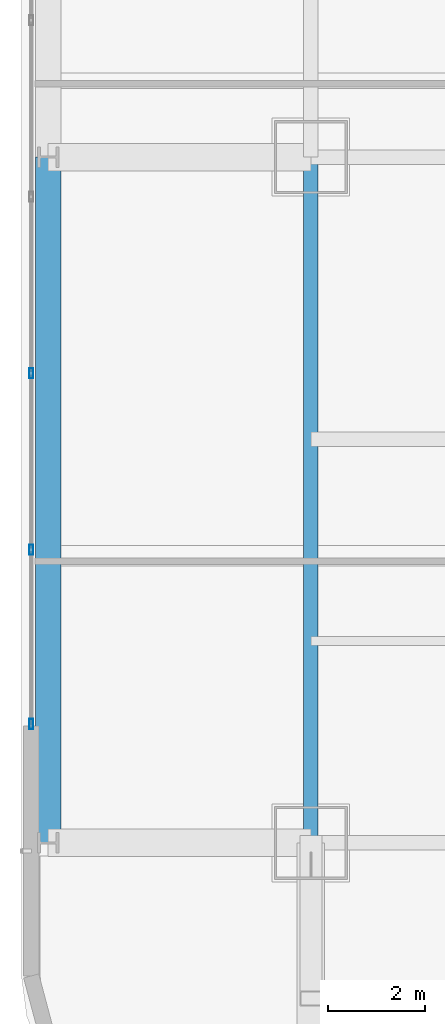
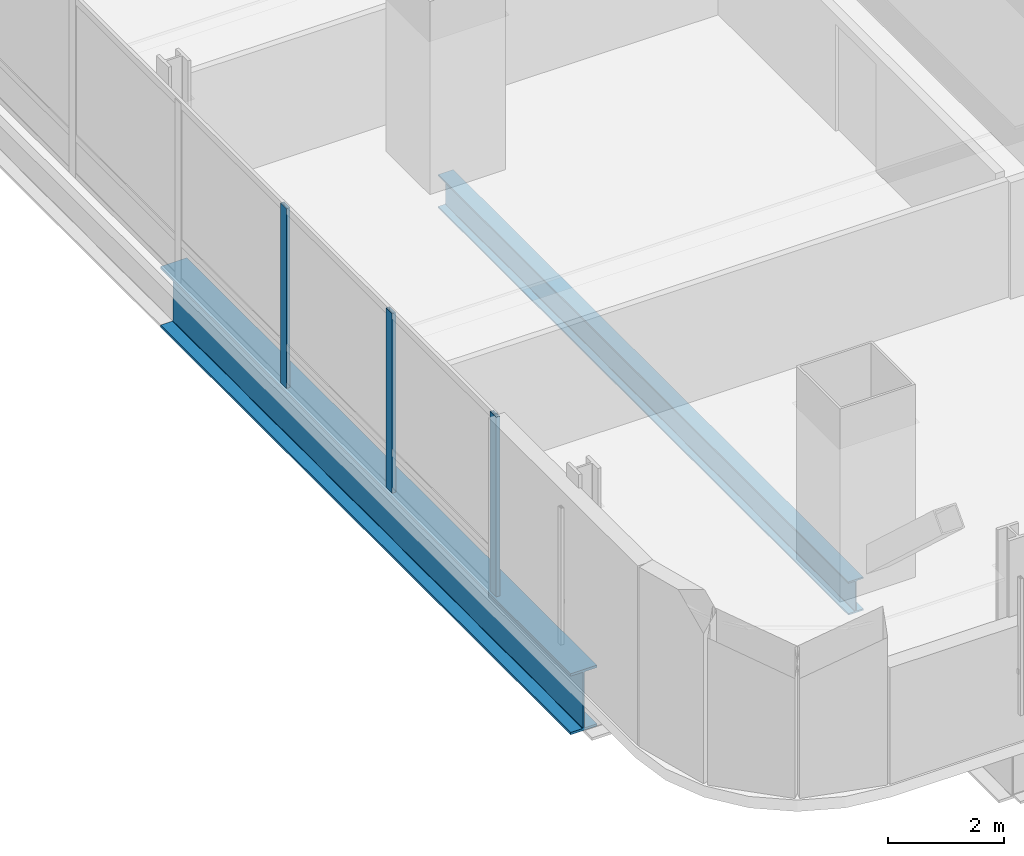
# One storey, part 3 of 45: 3 members, 2 beams, 1 element without a shape of its own.
"""IFC4 building model written with IfcOpenShell, lengths in metres."""

from ifc_helpers import new_model, si_unit, direction, frame, origin, origin_2d, place, context, subcontext, project, spatial, hollow_rectangle, i_section, extrude, material, material_profile, profile_set, type_object, element, aggregate, save


model = new_model("IFC4")

# Units and contexts
model_context = context("Model", 3, precision=1e-05, world=origin(), true_north=direction((0.0, 1.0)))
body_context = subcontext(model_context, "Body", "Model", "MODEL_VIEW")
ifc_project = project(units=[si_unit("LENGTHUNIT", "METRE"), si_unit("AREAUNIT", "SQUARE_METRE"), si_unit("VOLUMEUNIT", "CUBIC_METRE"), si_unit("PLANEANGLEUNIT", "RADIAN"), si_unit("MASSUNIT", "GRAM", prefix="KILO")], contexts=[model_context])

# Site, building, storey
site_placement = place(None, origin())
site = spatial("IfcSite", under=ifc_project, at=site_placement, CompositionType="ELEMENT")
building_placement = place(site_placement, origin())
building = spatial("IfcBuilding", under=site, at=building_placement, Name="Punatoya Terracotta Tower", CompositionType="ELEMENT")
storey_placement = place(building_placement, frame((0.0, 0.0, 56.550048828125)))
storey = spatial("IfcBuildingStorey", under=building, at=storey_placement, Name="L12", CompositionType="ELEMENT", Elevation=56.550048828125)

# Beams
ifc_material_1 = material(Name="Steel S355", Category="steel")
ifc_material_profile_1 = material_profile(ifc_material_1, i_section(OverallWidth=0.300048828125, OverallDepth=0.699951171875, WebThickness=0.01708984375, FlangeThickness=0.031982421875, FilletRadius=0.01806640625, at=origin_2d()))
ifc_profile_set_1 = profile_set([ifc_material_profile_1], Name="Steel S355")
beam_type_1 = type_object("IfcBeamType", Name="BM-PRI-700", PredefinedType="BEAM", material=ifc_profile_set_1)
beam_1_placement = place(storey_placement, frame((-19.10009765625, -17.5, -0.590087890625), z_axis=(0.0, 1.0, 0.0), x_axis=(-1.0, 0.0, 0.0)))
element("IfcBeam", 1, at=beam_1_placement, inside=storey, type_object=beam_type_1, Name="BM-L12-RG-W1", PredefinedType="BEAM", context=body_context, shape_type="SweptSolid", body=[
    extrude(i_section(OverallWidth=0.300048828125, OverallDepth=0.699951171875, WebThickness=0.01708984375, FlangeThickness=0.031982421875, FilletRadius=0.01806640625, at=origin_2d()), origin(), (0.0, 0.0, 1.0), 14.10009765625),
])
ifc_material_2 = material(Name="Steel S460", Category="steel")
ifc_material_profile_2 = material_profile(ifc_material_2, i_section(OverallWidth=0.52001953125, OverallDepth=1.280029296875, WebThickness=0.031982421875, FlangeThickness=0.050048828125, FilletRadius=0.01806640625, at=origin_2d()))
ifc_profile_set_2 = profile_set([ifc_material_profile_2], Name="Steel S460")
beam_type_2 = type_object("IfcBeamType", Name="BM-TG-NCK", PredefinedType="BEAM", material=ifc_profile_set_2)
beam_2_placement = place(storey_placement, frame((-24.5, -17.5, -0.880126953125), z_axis=(0.0, 1.0, 0.0), x_axis=(-1.0, 0.0, 0.0)))
element("IfcBeam", 2, at=beam_2_placement, inside=storey, type_object=beam_type_2, Name="BM-L12-PER-W1", PredefinedType="BEAM", context=body_context, shape_type="SweptSolid", body=[
    extrude(i_section(OverallWidth=0.52001953125, OverallDepth=1.280029296875, WebThickness=0.031982421875, FlangeThickness=0.050048828125, FilletRadius=0.01806640625, at=origin_2d()), origin(), (0.0, 0.0, 1.0), 14.10009765625),
])

# Curtain wall, members
ifc_material_3 = material(Name="Aluminium 6063-T6 + Double Low-E Glass", Category="aluminium")
curtain_wall_type = type_object("IfcCurtainWallType", Name="CW-M1", PredefinedType="NOTDEFINED", material=ifc_material_3)
curtain_wall_placement = place(storey_placement, origin())
curtain_wall = element("IfcCurtainWall", 3, at=curtain_wall_placement, inside=storey, type_object=curtain_wall_type, Name="L12 Curtain Wall CW-L12-W13-1", PredefinedType="NOTDEFINED")
ifc_material_4 = material(Name="Aluminium 6063-T6", Category="aluminium")
ifc_material_profile_3 = material_profile(ifc_material_4, hollow_rectangle(XDim=0.074951171875, YDim=0.2099609375, WallThickness=0.00439453125, at=origin_2d()))
ifc_profile_set_3 = profile_set([ifc_material_profile_3], Name="Aluminium 6063-T6")
member_type = type_object("IfcMemberType", Name="CW-MUL-M1", PredefinedType="MULLION", material=ifc_profile_set_3)
member_1_placement = place(storey_placement, frame((-24.85009765625, -7.843017578125, 0.0), z_axis=(0.0, 0.0, 1.0), x_axis=(1.0, 0.0, 0.0)))
member_1 = element("IfcMember", 4, at=member_1_placement, type_object=member_type, Name="CW-L12-W13-1 Mullion 05", PredefinedType="MULLION", context=body_context, shape_type="SweptSolid", body=[
    extrude(hollow_rectangle(XDim=0.074951171875, YDim=0.2099609375, WallThickness=0.00439453125, at=origin_2d()), origin(), (0.0, 0.0, 1.0), 3.77001953125),
])
member_2_placement = place(storey_placement, frame((-24.85009765625, -11.471435546875, 0.0), z_axis=(0.0, 0.0, 1.0), x_axis=(1.0, 0.0, 0.0)))
member_2 = element("IfcMember", 5, at=member_2_placement, type_object=member_type, Name="CW-L12-W13-1 Mullion 06", PredefinedType="MULLION", context=body_context, shape_type="SweptSolid", body=[
    extrude(hollow_rectangle(XDim=0.074951171875, YDim=0.2099609375, WallThickness=0.00439453125, at=origin_2d()), origin(), (0.0, 0.0, 1.0), 3.77001953125),
])
member_3_placement = place(storey_placement, frame((-24.85009765625, -15.054931640625, 0.0), z_axis=(0.0, 0.0, 1.0), x_axis=(1.0, 0.0, 0.0)))
member_3 = element("IfcMember", 6, at=member_3_placement, type_object=member_type, Name="CW-L12-W13-1 Mullion 07", PredefinedType="MULLION", context=body_context, shape_type="SweptSolid", body=[
    extrude(hollow_rectangle(XDim=0.074951171875, YDim=0.2099609375, WallThickness=0.00439453125, at=origin_2d()), origin(), (0.0, 0.0, 1.0), 3.77001953125),
])
aggregate(curtain_wall, [member_1, member_2, member_3])

save(model, "model.ifc")
